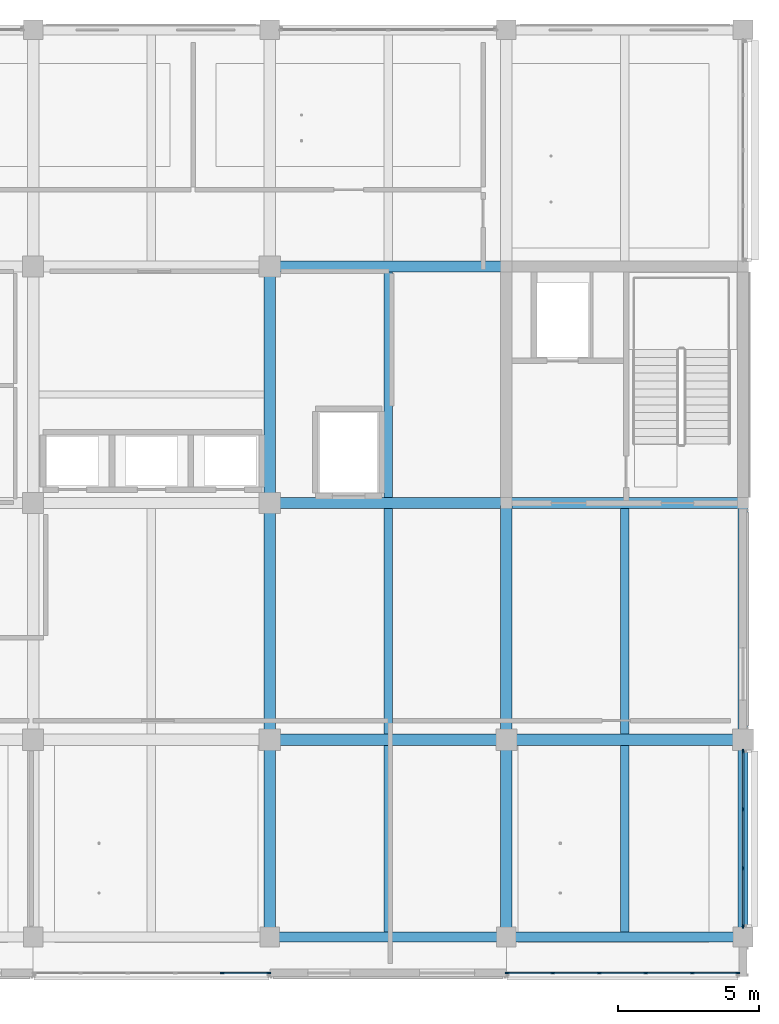
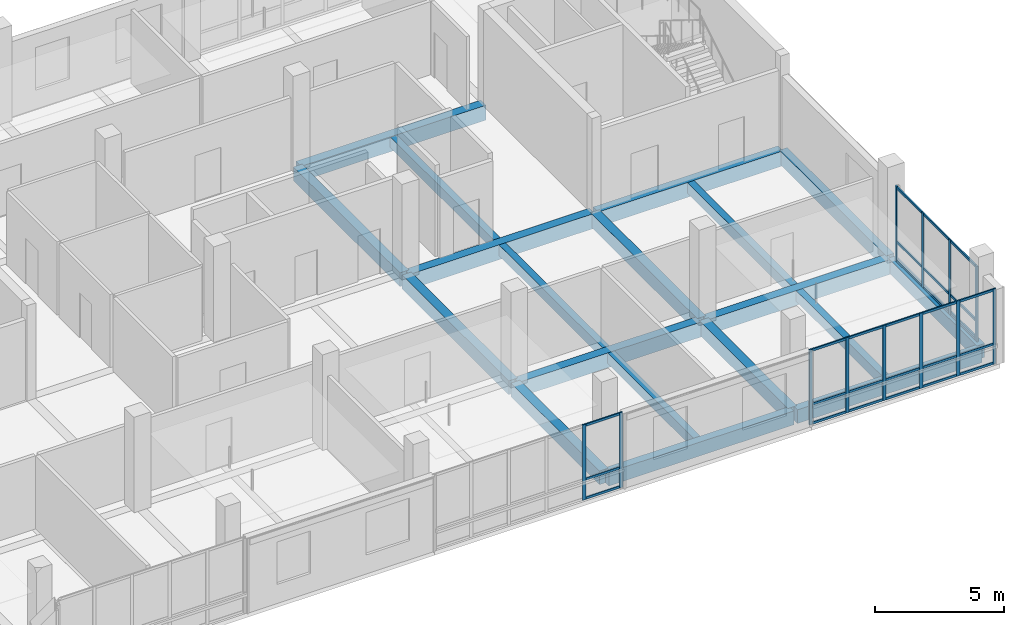
# One storey, part 6 of 32: 39 members, 19 beams, 3 elements without a shape of their own.
"""IFC4 building model written with IfcOpenShell, lengths in metres."""

import ifcopenshell
import ifcopenshell.guid

model = None  # the IFC model being written
_history = None  # IfcOwnerHistory: only IFC2X3 demands one
_inside = {}  # id of a spatial element -> (the spatial element, [elements in it])
_under = {}  # id of a project, library or spatial element -> (it, [spatial elements below it])
_declared = {}  # id of a project -> (the project, [libraries it declares])
_typed = {}  # id of a type object -> (the type object, [elements of that type])
_made_of = {}  # id of a material, layer set ... -> (it, [elements and type objects made of it])


def new_model(schema):
    """Start an empty IFC model of exactly this schema.

    Asked for "IFC4X3", IfcOpenShell would pick the latest addendum, in which some entities
    have other attributes; the version numbers below select the first issue.
    IFC2X3 requires an IfcOwnerHistory on every rooted entity: one is made here for all.
    """
    global model, _history
    if schema == "IFC4X3":
        model = ifcopenshell.file(schema_version=(4, 3, 0, 0))
    else:
        model = ifcopenshell.file(schema=schema)
    _inside.clear()
    _under.clear()
    _declared.clear()
    _typed.clear()
    _made_of.clear()
    _history = None
    if model.schema == "IFC2X3":
        org = make("IfcOrganization", Name="unknown")
        user = make(
            "IfcPersonAndOrganization",
            ThePerson=make("IfcPerson", FamilyName="unknown"),
            TheOrganization=org,
        )
        app = make(
            "IfcApplication",
            ApplicationDeveloper=org,
            Version="unknown",
            ApplicationFullName="unknown",
            ApplicationIdentifier="unknown",
        )
        _history = make(
            "IfcOwnerHistory",
            OwningUser=user,
            OwningApplication=app,
            ChangeAction="ADDED",
            CreationDate=0,
        )
    return model


def make(cls, **values):
    """One entity of the class cls with the attributes given. An attribute that is None is left unset."""
    return model.create_entity(
        cls, **{name: value for name, value in values.items() if value is not None}
    )


def rooted(cls, **values):
    """An entity with a GlobalId (a new one), such as an element, a storey or a relation."""
    return make(cls, GlobalId=ifcopenshell.guid.new(), OwnerHistory=_history, **values)


def si_unit(unit_type, name, prefix=None):
    """IfcSIUnit, for example si_unit("LENGTHUNIT", "METRE", prefix="MILLI")."""
    return make("IfcSIUnit", UnitType=unit_type, Prefix=prefix, Name=name)


def assignment(units):
    """IfcUnitAssignment: the units of a project."""
    return None if units is None else make("IfcUnitAssignment", Units=units)


def point(xyz):
    """IfcCartesianPoint."""
    return None if xyz is None else make("IfcCartesianPoint", Coordinates=xyz)


def direction(xyz):
    """IfcDirection."""
    return None if xyz is None else make("IfcDirection", DirectionRatios=xyz)


def frame(location, z_axis=None, x_axis=None):
    """IfcAxis2Placement3D, a coordinate frame: its origin and axes. An axis left out is left unset."""
    return make(
        "IfcAxis2Placement3D",
        Location=point(location),
        Axis=direction(z_axis),
        RefDirection=direction(x_axis),
    )


def frame_2d(location, x_axis=None):
    """IfcAxis2Placement2D, a coordinate frame in the plane: its origin and x axis."""
    return make(
        "IfcAxis2Placement2D", Location=point(location), RefDirection=direction(x_axis)
    )


def origin():
    """The frame at (0, 0, 0) with its axes left unset."""
    return frame((0.0, 0.0, 0.0))


def origin_2d():
    """The frame at (0, 0) in the plane with its x axis left unset."""
    return frame_2d((0.0, 0.0))


def place(relative_to, where):
    """IfcLocalPlacement: puts the frame where relative to a parent placement (None: the world)."""
    return make(
        "IfcLocalPlacement", PlacementRelTo=relative_to, RelativePlacement=where
    )


def context(
    kind, dimensions, precision=None, world=None, true_north=None, identifier=None
):
    """IfcGeometricRepresentationContext, for example the 3D "Model" context."""
    return make(
        "IfcGeometricRepresentationContext",
        ContextIdentifier=identifier,
        ContextType=kind,
        CoordinateSpaceDimension=dimensions,
        Precision=precision,
        WorldCoordinateSystem=world,
        TrueNorth=true_north,
    )


def subcontext(parent, identifier, kind, view, scale=None):
    """IfcGeometricRepresentationSubContext, for example "Body" below "Model"."""
    return make(
        "IfcGeometricRepresentationSubContext",
        ContextIdentifier=identifier,
        ContextType=kind,
        ParentContext=parent,
        TargetScale=scale,
        TargetView=view,
    )


def project(units=None, contexts=None):
    """IfcProject with its units and contexts."""
    return rooted(
        "IfcProject",
        Name="project",
        RepresentationContexts=contexts,
        UnitsInContext=assignment(units),
    )


def spatial(cls, under=None, at=None, **own):
    """A site, building, storey or space (cls), placed at a placement, below another one or the project."""
    s = rooted(cls, ObjectPlacement=at, **own)
    if under is not None:
        _under.setdefault(under.id(), (under, []))[1].append(s)
    return s


def profile(cls, at=None, kind="AREA", **sizes):
    """A parametric profile (cls). Its sizes go by their IFC names, for example OverallWidth=200.0."""
    return make(cls, ProfileType=kind, Position=at, **sizes)


def rectangle(**sizes):
    """IfcRectangleProfileDef."""
    return profile("IfcRectangleProfileDef", **sizes)


def extrude(swept, where, along, depth):
    """IfcExtrudedAreaSolid: the profile swept, set in the frame where, extruded along a direction by depth."""
    return make(
        "IfcExtrudedAreaSolid",
        SweptArea=swept,
        Position=where,
        ExtrudedDirection=direction(along),
        Depth=depth,
    )


def shape(context_of_items, identifier, shape_type, items):
    """IfcShapeRepresentation: the items that make up one representation, for example the "Body"."""
    return make(
        "IfcShapeRepresentation",
        ContextOfItems=context_of_items,
        RepresentationIdentifier=identifier,
        RepresentationType=shape_type,
        Items=items,
    )


def material(Name=None, Category=None):
    """IfcMaterial."""
    return make("IfcMaterial", Name=Name, Category=Category)


def layer(
    of_material, thickness, ventilated=None, Name=None, Category=None, Priority=None
):
    """IfcMaterialLayer: one layer of a wall or slab, of a material (None: an air gap)."""
    return make(
        "IfcMaterialLayer",
        Material=of_material,
        LayerThickness=thickness,
        IsVentilated=ventilated,
        Name=Name,
        Category=Category,
        Priority=Priority,
    )


def layer_set(layers, Name=None):
    """IfcMaterialLayerSet."""
    return make("IfcMaterialLayerSet", MaterialLayers=layers, LayerSetName=Name)


def material_profile(
    of_material, cross_section, Name=None, Category=None, Priority=None
):
    """IfcMaterialProfile: a cross section and its material."""
    return make(
        "IfcMaterialProfile",
        Name=Name,
        Material=of_material,
        Profile=cross_section,
        Priority=Priority,
        Category=Category,
    )


def profile_set(profiles, Name=None, composite=None):
    """IfcMaterialProfileSet."""
    return make(
        "IfcMaterialProfileSet",
        Name=Name,
        MaterialProfiles=profiles,
        CompositeProfile=composite,
    )


def made_of(thing, what):
    """Note that an element or type object is made of a material, layer set ...; save() writes the relation."""
    if what is not None:
        _made_of.setdefault(what.id(), (what, []))[1].append(thing)
    return thing


def type_object(cls, material=None, **own):
    """A type object (cls), such as IfcWallType, which elements share."""
    return made_of(rooted(cls, **own), material)


def element(
    cls,
    number,
    at=None,
    inside=None,
    cuts=None,
    type_object=None,
    material=None,
    context=None,
    identifier="Body",
    shape_type=None,
    held_by="IfcProductDefinitionShape",
    body=None,
    shapes=None,
    **own,
):
    """One element of the class cls, such as IfcWall. Its Tag is "e" and its number.

    at: its placement. inside: the storey or other place that contains it. cuts: it is an
    opening in that element (IfcRelVoidsElement). A single representation is given by context,
    identifier, shape_type and body (its items); several are given by shapes. held_by: the class
    of the entity that holds the representations. save() writes the other relations.
    """
    e = rooted(cls, Tag="e%d" % number, ObjectPlacement=at, **own)
    if body is not None:
        shapes = [shape(context, identifier, shape_type, body)]
    if shapes is not None:
        e.Representation = make(held_by, Representations=shapes)
    if inside is not None:
        _inside.setdefault(inside.id(), (inside, []))[1].append(e)
    if cuts is not None:
        rooted(
            "IfcRelVoidsElement", RelatingBuildingElement=cuts, RelatedOpeningElement=e
        )
    if type_object is not None:
        _typed.setdefault(type_object.id(), (type_object, []))[1].append(e)
    return made_of(e, material)


def aggregate(whole, parts):
    """IfcRelAggregates: a whole, such as a stair, and the parts it consists of."""
    return rooted("IfcRelAggregates", RelatingObject=whole, RelatedObjects=parts)


def save(model, path):
    """Write the relations noted so far, then the file.

    IfcRelAggregates (storeys below a building ...), IfcRelContainedInSpatialStructure (elements
    in a storey), IfcRelDefinesByType, IfcRelAssociatesMaterial and IfcRelDeclares: one each for
    every whole, place, type object, material and project.
    """
    for whole, parts in _under.values():
        aggregate(whole, parts)
    for where, things in _inside.values():
        rooted(
            "IfcRelContainedInSpatialStructure",
            RelatedElements=things,
            RelatingStructure=where,
        )
    for kind, things in _typed.values():
        rooted("IfcRelDefinesByType", RelatedObjects=things, RelatingType=kind)
    for what, things in _made_of.values():
        rooted("IfcRelAssociatesMaterial", RelatedObjects=things, RelatingMaterial=what)
    for by, libraries in _declared.values():
        rooted("IfcRelDeclares", RelatingContext=by, RelatedDefinitions=libraries)
    model.write(path)


model = new_model("IFC4")

# Units and contexts
model_context = context("Model", 3, precision=1e-05, world=origin(), true_north=direction((0.0, 1.0)))
body_context = subcontext(model_context, "Body", "Model", "MODEL_VIEW")
ifc_project = project(units=[si_unit("LENGTHUNIT", "METRE"), si_unit("AREAUNIT", "SQUARE_METRE"), si_unit("VOLUMEUNIT", "CUBIC_METRE"), si_unit("PLANEANGLEUNIT", "RADIAN"), si_unit("MASSUNIT", "GRAM", prefix="KILO")], contexts=[model_context])

# Site, building, storey
site_placement = place(None, origin())
site = spatial("IfcSite", under=ifc_project, at=site_placement, CompositionType="ELEMENT")
building_placement = place(site_placement, origin())
building = spatial("IfcBuilding", under=site, at=building_placement, Name="Telukmera Botanical Conservatory", CompositionType="ELEMENT")
storey_placement = place(building_placement, frame((0.0, 0.0, 42.0)))
storey = spatial("IfcBuildingStorey", under=building, at=storey_placement, Name="L09", CompositionType="ELEMENT", Elevation=42.0)

# Beams
ifc_material_1 = material(Name="Concrete C40/50", Category="concrete")
ifc_material_profile_1 = material_profile(ifc_material_1, rectangle(XDim=0.300048828125, YDim=0.5, at=origin_2d()), Name="RC 300x500")
ifc_profile_set_1 = profile_set([ifc_material_profile_1], Name="Concrete C40/50")
beam_type_1 = type_object("IfcBeamType", Name="Beam_B24", PredefinedType="JOIST", material=ifc_profile_set_1)
beam_1_placement = place(storey_placement, frame((88.199951171875, 10.77490234375, -0.25), z_axis=(0.0, 1.0, 0.0), x_axis=(-1.0, 0.0, 0.0)))
element("IfcBeam", 1, at=beam_1_placement, inside=storey, type_object=beam_type_1, Name="Tower Secondary Floor Joist L09", PredefinedType="JOIST", context=body_context, shape_type="SweptSolid", body=[
    extrude(rectangle(XDim=0.300048828125, YDim=0.5, at=origin_2d()), origin(), (0.0, 0.0, 1.0), 6.625),
])
for number, where, z_axis, x_axis, name in (
    (2, (88.199951171875, 17.800048828125, -0.25), (0.0, 1.0, 0.0), (-1.0, 0.0, 0.0), "Tower Secondary Floor Joist L09"),
    (3, (88.199951171875, 26.199951171875, -0.25), (0.0, 1.0, 0.0), (-1.0, 0.0, 0.0), "Tower Secondary Floor Joist L09"),
):
    element("IfcBeam", number, at=place(storey_placement, frame(where, z_axis=z_axis, x_axis=x_axis)), inside=storey, type_object=beam_type_1, Name=name, PredefinedType="JOIST", context=body_context, shape_type="SweptSolid", body=[
        extrude(rectangle(XDim=0.300048828125, YDim=0.5, at=origin_2d()), origin(), (0.0, 0.0, 1.0), 8.0),
    ])
beam_2_placement = place(storey_placement, frame((96.60009765625, 10.77490234375, -0.25), z_axis=(0.0, 1.0, 0.0), x_axis=(-1.0, 0.0, 0.0)))
element("IfcBeam", 4, at=beam_2_placement, inside=storey, type_object=beam_type_1, Name="Tower Secondary Floor Joist L09", PredefinedType="JOIST", context=body_context, shape_type="SweptSolid", body=[
    extrude(rectangle(XDim=0.300048828125, YDim=0.5, at=origin_2d()), origin(), (0.0, 0.0, 1.0), 6.625),
])
beam_3_placement = place(storey_placement, frame((96.60009765625, 17.800048828125, -0.25), z_axis=(0.0, 1.0, 0.0), x_axis=(-1.0, 0.0, 0.0)))
element("IfcBeam", 5, at=beam_3_placement, inside=storey, type_object=beam_type_1, Name="Tower Secondary Floor Joist L09", PredefinedType="JOIST", context=body_context, shape_type="SweptSolid", body=[
    extrude(rectangle(XDim=0.300048828125, YDim=0.5, at=origin_2d()), origin(), (0.0, 0.0, 1.0), 8.0),
])
ifc_material_profile_2 = material_profile(ifc_material_1, rectangle(XDim=0.39990234375, YDim=0.699951171875, at=origin_2d()), Name="RC 400x700")
ifc_profile_set_2 = profile_set([ifc_material_profile_2], Name="Concrete C40/50")
beam_type_2 = type_object("IfcBeamType", Name="Beam_B7", PredefinedType="BEAM", material=ifc_profile_set_2)
for number, where, z_axis, x_axis, name in (
    (6, (84.080078125, 17.60009765625, -0.35009765625), (1.0, 0.0, 0.0), (0.0, 1.0, 0.0), "Tower Grid Beam L09"),
    (7, (92.47998046875, 17.60009765625, -0.35009765625), (1.0, 0.0, 0.0), (0.0, 1.0, 0.0), "Tower Grid Beam L09"),
    (8, (84.080078125, 26.0, -0.35009765625), (1.0, 0.0, 0.0), (0.0, 1.0, 0.0), "Tower Grid Beam L09"),
    (9, (92.47998046875, 26.0, -0.35009765625), (1.0, 0.0, 0.0), (0.0, 1.0, 0.0), "Tower Grid Beam L09"),
    (10, (84.080078125, 34.39990234375, -0.35009765625), (1.0, 0.0, 0.0), (0.0, 1.0, 0.0), "Tower Grid Beam L09"),
):
    element("IfcBeam", number, at=place(storey_placement, frame(where, z_axis=z_axis, x_axis=x_axis)), inside=storey, type_object=beam_type_2, Name=name, PredefinedType="BEAM", context=body_context, shape_type="SweptSolid", body=[
        extrude(rectangle(XDim=0.39990234375, YDim=0.699951171875, at=origin_2d()), origin(), (0.0, 0.0, 1.0), 8.239990234375),
    ])
ifc_material_profile_3 = material_profile(ifc_material_1, rectangle(XDim=0.39990234375, YDim=0.64990234375, at=origin_2d()), Name="RC 400x650")
ifc_profile_set_3 = profile_set([ifc_material_profile_3], Name="Concrete C40/50")
beam_type_3 = type_object("IfcBeamType", Name="Beam_B8", PredefinedType="BEAM", material=ifc_profile_set_3)
beam_4_placement = place(storey_placement, frame((84.0, 10.679931640625, -0.324951171875), z_axis=(0.0, 1.0, 0.0), x_axis=(-1.0, 0.0, 0.0)))
element("IfcBeam", 11, at=beam_4_placement, inside=storey, type_object=beam_type_3, Name="Tower Transverse Beam L09", PredefinedType="BEAM", context=body_context, shape_type="SweptSolid", body=[
    extrude(rectangle(XDim=0.39990234375, YDim=0.64990234375, at=origin_2d()), origin(), (0.0, 0.0, 1.0), 6.840087890625),
])
for number, where, z_axis, x_axis, name in (
    (12, (84.0, 17.679931640625, -0.324951171875), (0.0, 1.0, 0.0), (-1.0, 0.0, 0.0), "Tower Transverse Beam L09"),
    (13, (84.0, 26.080078125, -0.324951171875), (0.0, 1.0, 0.0), (-1.0, 0.0, 0.0), "Tower Transverse Beam L09"),
):
    element("IfcBeam", number, at=place(storey_placement, frame(where, z_axis=z_axis, x_axis=x_axis)), inside=storey, type_object=beam_type_3, Name=name, PredefinedType="BEAM", context=body_context, shape_type="SweptSolid", body=[
        extrude(rectangle(XDim=0.39990234375, YDim=0.64990234375, at=origin_2d()), origin(), (0.0, 0.0, 1.0), 8.239990234375),
    ])
beam_5_placement = place(storey_placement, frame((92.39990234375, 10.679931640625, -0.324951171875), z_axis=(0.0, 1.0, 0.0), x_axis=(-1.0, 0.0, 0.0)))
element("IfcBeam", 14, at=beam_5_placement, inside=storey, type_object=beam_type_3, Name="Tower Transverse Beam L09", PredefinedType="BEAM", context=body_context, shape_type="SweptSolid", body=[
    extrude(rectangle(XDim=0.39990234375, YDim=0.64990234375, at=origin_2d()), origin(), (0.0, 0.0, 1.0), 6.840087890625),
])
beam_6_placement = place(storey_placement, frame((92.39990234375, 17.679931640625, -0.324951171875), z_axis=(0.0, 1.0, 0.0), x_axis=(-1.0, 0.0, 0.0)))
element("IfcBeam", 15, at=beam_6_placement, inside=storey, type_object=beam_type_3, Name="Tower Transverse Beam L09", PredefinedType="BEAM", context=body_context, shape_type="SweptSolid", body=[
    extrude(rectangle(XDim=0.39990234375, YDim=0.64990234375, at=origin_2d()), origin(), (0.0, 0.0, 1.0), 8.239990234375),
])
ifc_material_2 = material(Name="Precast concrete C40/50", Category="concrete")
ifc_material_profile_4 = material_profile(ifc_material_2, rectangle(XDim=0.35009765625, YDim=0.64990234375, at=origin_2d()), Name="PC 350x650")
ifc_profile_set_4 = profile_set([ifc_material_profile_4], Name="Precast concrete C40/50")
beam_type_4 = type_object("IfcBeamType", Name="Beam_SP3", PredefinedType="SPANDREL", material=ifc_profile_set_4)
for number, where, z_axis, x_axis, name in (
    (16, (84.080078125, 10.60009765625, -0.324951171875), (1.0, 0.0, 0.0), (0.0, 1.0, 0.0), "Tower Grid Beam L09"),
    (17, (92.47998046875, 10.60009765625, -0.324951171875), (1.0, 0.0, 0.0), (0.0, 1.0, 0.0), "Tower Grid Beam L09"),
):
    element("IfcBeam", number, at=place(storey_placement, frame(where, z_axis=z_axis, x_axis=x_axis)), inside=storey, type_object=beam_type_4, Name=name, PredefinedType="SPANDREL", context=body_context, shape_type="SweptSolid", body=[
        extrude(rectangle(XDim=0.35009765625, YDim=0.64990234375, at=origin_2d()), origin(), (0.0, 0.0, 1.0), 8.239990234375),
    ])
beam_7_placement = place(storey_placement, frame((100.800048828125, 10.679931640625, -0.324951171875), z_axis=(0.0, 1.0, 0.0), x_axis=(-1.0, 0.0, 0.0)))
element("IfcBeam", 18, at=beam_7_placement, inside=storey, type_object=beam_type_4, Name="Tower Transverse Beam L09", PredefinedType="SPANDREL", context=body_context, shape_type="SweptSolid", body=[
    extrude(rectangle(XDim=0.35009765625, YDim=0.64990234375, at=origin_2d()), origin(), (0.0, 0.0, 1.0), 6.840087890625),
])
beam_8_placement = place(storey_placement, frame((100.800048828125, 17.679931640625, -0.324951171875), z_axis=(0.0, 1.0, 0.0), x_axis=(-1.0, 0.0, 0.0)))
element("IfcBeam", 19, at=beam_8_placement, inside=storey, type_object=beam_type_4, Name="Tower Transverse Beam L09", PredefinedType="SPANDREL", context=body_context, shape_type="SweptSolid", body=[
    extrude(rectangle(XDim=0.35009765625, YDim=0.64990234375, at=origin_2d()), origin(), (0.0, 0.0, 1.0), 8.239990234375),
])

# Curtain wall, members
ifc_material_3 = material(Name="Anodised aluminium 6063-T6", Category="aluminium")
ifc_layer = layer(ifc_material_3, 0.179931640625)
ifc_layer_set = layer_set([ifc_layer], Name="Anodised aluminium 6063-T6")
curtain_wall_type = type_object("IfcCurtainWallType", Name="Tower Research Laboratory Unitised Curtain Wall", PredefinedType="USERDEFINED", material=ifc_layer_set)
curtain_wall_1_placement = place(storey_placement, origin())
curtain_wall_1 = element("IfcCurtainWall", 20, at=curtain_wall_1_placement, inside=storey, type_object=curtain_wall_type, Name="Unitised Curtain Wall CW15 V4:L09:S4", ObjectType="UNITISED CURTAIN WALL", PredefinedType="USERDEFINED")
ifc_material_profile_5 = material_profile(ifc_material_3, rectangle(XDim=0.06005859375, YDim=0.139892578125, at=origin_2d()), Name="ALU MULL 60x140")
ifc_profile_set_5 = profile_set([ifc_material_profile_5], Name="Anodised aluminium 6063-T6")
member_type_1 = type_object("IfcMemberType", Name="Curtain Wall Extruded Mullion 60x140", PredefinedType="MULLION", material=ifc_profile_set_5)
member_1_placement = place(storey_placement, frame((82.31884765625, 9.320068359375, 0.0), z_axis=(0.0, 0.0, 1.0), x_axis=(0.0, 1.0, 0.0)))
member_1 = element("IfcMember", 21, at=member_1_placement, type_object=member_type_1, Name="CW15 mullion 5", PredefinedType="MULLION", context=body_context, shape_type="SweptSolid", body=[
    extrude(rectangle(XDim=0.06005859375, YDim=0.139892578125, at=origin_2d()), origin(), (0.0, 0.0, 1.0), 3.550048828125),
])
member_2_placement = place(storey_placement, frame((83.968017578125, 9.320068359375, 0.0), z_axis=(0.0, 0.0, 1.0), x_axis=(0.0, 1.0, 0.0)))
member_2 = element("IfcMember", 22, at=member_2_placement, type_object=member_type_1, Name="CW15 mullion 6", PredefinedType="MULLION", context=body_context, shape_type="SweptSolid", body=[
    extrude(rectangle(XDim=0.06005859375, YDim=0.139892578125, at=origin_2d()), origin(), (0.0, 0.0, 1.0), 3.550048828125),
])

curtain_wall_2_placement = place(storey_placement, origin())
curtain_wall_2 = element("IfcCurtainWall", 23, at=curtain_wall_2_placement, inside=storey, type_object=curtain_wall_type, Name="Unitised Curtain Wall CW15 V4:L09:S6", ObjectType="UNITISED CURTAIN WALL", PredefinedType="USERDEFINED")
member_3_placement = place(storey_placement, frame((92.431884765625, 9.320068359375, 0.0), z_axis=(0.0, 0.0, 1.0), x_axis=(0.0, 1.0, 0.0)))
member_3 = element("IfcMember", 24, at=member_3_placement, type_object=member_type_1, Name="CW15 mullion 1", PredefinedType="MULLION", context=body_context, shape_type="SweptSolid", body=[
    extrude(rectangle(XDim=0.06005859375, YDim=0.139892578125, at=origin_2d()), origin(), (0.0, 0.0, 1.0), 3.550048828125),
])
member_4_placement = place(storey_placement, frame((94.05126953125, 9.320068359375, 0.0), z_axis=(0.0, 0.0, 1.0), x_axis=(0.0, 1.0, 0.0)))
member_4 = element("IfcMember", 25, at=member_4_placement, type_object=member_type_1, Name="CW15 mullion 2", PredefinedType="MULLION", context=body_context, shape_type="SweptSolid", body=[
    extrude(rectangle(XDim=0.06005859375, YDim=0.139892578125, at=origin_2d()), origin(), (0.0, 0.0, 1.0), 3.550048828125),
])
member_5_placement = place(storey_placement, frame((95.700439453125, 9.320068359375, 0.0), z_axis=(0.0, 0.0, 1.0), x_axis=(0.0, 1.0, 0.0)))
member_5 = element("IfcMember", 26, at=member_5_placement, type_object=member_type_1, Name="CW15 mullion 3", PredefinedType="MULLION", context=body_context, shape_type="SweptSolid", body=[
    extrude(rectangle(XDim=0.06005859375, YDim=0.139892578125, at=origin_2d()), origin(), (0.0, 0.0, 1.0), 3.550048828125),
])
member_6_placement = place(storey_placement, frame((97.349609375, 9.320068359375, 0.0), z_axis=(0.0, 0.0, 1.0), x_axis=(0.0, 1.0, 0.0)))
member_6 = element("IfcMember", 27, at=member_6_placement, type_object=member_type_1, Name="CW15 mullion 4", PredefinedType="MULLION", context=body_context, shape_type="SweptSolid", body=[
    extrude(rectangle(XDim=0.06005859375, YDim=0.139892578125, at=origin_2d()), origin(), (0.0, 0.0, 1.0), 3.550048828125),
])
member_7_placement = place(storey_placement, frame((98.998779296875, 9.320068359375, 0.0), z_axis=(0.0, 0.0, 1.0), x_axis=(0.0, 1.0, 0.0)))
member_7 = element("IfcMember", 28, at=member_7_placement, type_object=member_type_1, Name="CW15 mullion 5", PredefinedType="MULLION", context=body_context, shape_type="SweptSolid", body=[
    extrude(rectangle(XDim=0.06005859375, YDim=0.139892578125, at=origin_2d()), origin(), (0.0, 0.0, 1.0), 3.550048828125),
])
member_8_placement = place(storey_placement, frame((100.617919921875, 9.320068359375, 0.0), z_axis=(0.0, 0.0, 1.0), x_axis=(0.0, 1.0, 0.0)))
member_8 = element("IfcMember", 29, at=member_8_placement, type_object=member_type_1, Name="CW15 mullion 6", PredefinedType="MULLION", context=body_context, shape_type="SweptSolid", body=[
    extrude(rectangle(XDim=0.06005859375, YDim=0.139892578125, at=origin_2d()), origin(), (0.0, 0.0, 1.0), 3.550048828125),
])

curtain_wall_3_placement = place(storey_placement, origin())
curtain_wall_3 = element("IfcCurtainWall", 30, at=curtain_wall_3_placement, inside=storey, type_object=curtain_wall_type, Name="Unitised Curtain Wall CW15 V4:L09:E1", ObjectType="UNITISED CURTAIN WALL", PredefinedType="USERDEFINED")
member_9_placement = place(storey_placement, frame((100.800048828125, 10.98193359375, 0.0), z_axis=(0.0, 0.0, 1.0), x_axis=(-1.0, 0.0, 0.0)))
member_9 = element("IfcMember", 31, at=member_9_placement, type_object=member_type_1, Name="CW15 mullion 1", PredefinedType="MULLION", context=body_context, shape_type="SweptSolid", body=[
    extrude(rectangle(XDim=0.06005859375, YDim=0.139892578125, at=origin_2d()), origin(), (0.0, 0.0, 1.0), 3.550048828125),
])
member_10_placement = place(storey_placement, frame((100.800048828125, 13.042236328125, 0.0), z_axis=(0.0, 0.0, 1.0), x_axis=(-1.0, 0.0, 0.0)))
member_10 = element("IfcMember", 32, at=member_10_placement, type_object=member_type_1, Name="CW15 mullion 2", PredefinedType="MULLION", context=body_context, shape_type="SweptSolid", body=[
    extrude(rectangle(XDim=0.06005859375, YDim=0.139892578125, at=origin_2d()), origin(), (0.0, 0.0, 1.0), 3.550048828125),
])
member_11_placement = place(storey_placement, frame((100.800048828125, 15.132568359375, 0.0), z_axis=(0.0, 0.0, 1.0), x_axis=(-1.0, 0.0, 0.0)))
member_11 = element("IfcMember", 33, at=member_11_placement, type_object=member_type_1, Name="CW15 mullion 3", PredefinedType="MULLION", context=body_context, shape_type="SweptSolid", body=[
    extrude(rectangle(XDim=0.06005859375, YDim=0.139892578125, at=origin_2d()), origin(), (0.0, 0.0, 1.0), 3.550048828125),
])
member_12_placement = place(storey_placement, frame((100.800048828125, 17.193115234375, 0.0), z_axis=(0.0, 0.0, 1.0), x_axis=(-1.0, 0.0, 0.0)))
member_12 = element("IfcMember", 34, at=member_12_placement, type_object=member_type_1, Name="CW15 mullion 4", PredefinedType="MULLION", context=body_context, shape_type="SweptSolid", body=[
    extrude(rectangle(XDim=0.06005859375, YDim=0.139892578125, at=origin_2d()), origin(), (0.0, 0.0, 1.0), 3.550048828125),
])

# Member
ifc_material_profile_6 = material_profile(ifc_material_3, rectangle(XDim=0.06005859375, YDim=0.110107421875, at=origin_2d()), Name="ALU TRAN 60x110")
ifc_profile_set_6 = profile_set([ifc_material_profile_6], Name="Anodised aluminium 6063-T6")
member_type_2 = type_object("IfcMemberType", Name="Curtain Wall Extruded Transom 60x110", PredefinedType="USERDEFINED", material=ifc_profile_set_6)
member_13_placement = place(storey_placement, frame((82.348876953125, 9.320068359375, 0.054931640625), z_axis=(1.0, 0.0, 0.0), x_axis=(0.0, 1.0, 0.0)))
member_13 = element("IfcMember", 35, at=member_13_placement, type_object=member_type_2, Name="CW15 transom 5.1", ObjectType="TRANSOM", PredefinedType="USERDEFINED", context=body_context, shape_type="SweptSolid", body=[
    extrude(rectangle(XDim=0.06005859375, YDim=0.110107421875, at=origin_2d()), origin(), (0.0, 0.0, 1.0), 1.589111328125),
])

member_14_placement = place(storey_placement, frame((82.348876953125, 9.320068359375, 0.949951171875), z_axis=(1.0, 0.0, 0.0), x_axis=(0.0, 1.0, 0.0)))
member_14 = element("IfcMember", 36, at=member_14_placement, type_object=member_type_2, Name="CW15 transom 5.2", ObjectType="TRANSOM", PredefinedType="USERDEFINED", context=body_context, shape_type="SweptSolid", body=[
    extrude(rectangle(XDim=0.06005859375, YDim=0.110107421875, at=origin_2d()), origin(), (0.0, 0.0, 1.0), 1.589111328125),
])

member_15_placement = place(storey_placement, frame((82.348876953125, 9.320068359375, 3.4951171875), z_axis=(1.0, 0.0, 0.0), x_axis=(0.0, 1.0, 0.0)))
member_15 = element("IfcMember", 37, at=member_15_placement, type_object=member_type_2, Name="CW15 transom 5.3", ObjectType="TRANSOM", PredefinedType="USERDEFINED", context=body_context, shape_type="SweptSolid", body=[
    extrude(rectangle(XDim=0.06005859375, YDim=0.110107421875, at=origin_2d()), origin(), (0.0, 0.0, 1.0), 1.589111328125),
])

aggregate(curtain_wall_1, [member_1, member_2, member_13, member_14, member_15])

member_16_placement = place(storey_placement, frame((92.4619140625, 9.320068359375, 0.054931640625), z_axis=(1.0, 0.0, 0.0), x_axis=(0.0, 1.0, 0.0)))
member_16 = element("IfcMember", 38, at=member_16_placement, type_object=member_type_2, Name="CW15 transom 1.1", ObjectType="TRANSOM", PredefinedType="USERDEFINED", context=body_context, shape_type="SweptSolid", body=[
    extrude(rectangle(XDim=0.06005859375, YDim=0.110107421875, at=origin_2d()), origin(), (0.0, 0.0, 1.0), 1.559326171875),
])

member_17_placement = place(storey_placement, frame((92.4619140625, 9.320068359375, 0.949951171875), z_axis=(1.0, 0.0, 0.0), x_axis=(0.0, 1.0, 0.0)))
member_17 = element("IfcMember", 39, at=member_17_placement, type_object=member_type_2, Name="CW15 transom 1.2", ObjectType="TRANSOM", PredefinedType="USERDEFINED", context=body_context, shape_type="SweptSolid", body=[
    extrude(rectangle(XDim=0.06005859375, YDim=0.110107421875, at=origin_2d()), origin(), (0.0, 0.0, 1.0), 1.559326171875),
])

member_18_placement = place(storey_placement, frame((92.4619140625, 9.320068359375, 3.4951171875), z_axis=(1.0, 0.0, 0.0), x_axis=(0.0, 1.0, 0.0)))
member_18 = element("IfcMember", 40, at=member_18_placement, type_object=member_type_2, Name="CW15 transom 1.3", ObjectType="TRANSOM", PredefinedType="USERDEFINED", context=body_context, shape_type="SweptSolid", body=[
    extrude(rectangle(XDim=0.06005859375, YDim=0.110107421875, at=origin_2d()), origin(), (0.0, 0.0, 1.0), 1.559326171875),
])

member_19_placement = place(storey_placement, frame((94.081298828125, 9.320068359375, 0.054931640625), z_axis=(1.0, 0.0, 0.0), x_axis=(0.0, 1.0, 0.0)))
member_19 = element("IfcMember", 41, at=member_19_placement, type_object=member_type_2, Name="CW15 transom 2.1", ObjectType="TRANSOM", PredefinedType="USERDEFINED", context=body_context, shape_type="SweptSolid", body=[
    extrude(rectangle(XDim=0.06005859375, YDim=0.110107421875, at=origin_2d()), origin(), (0.0, 0.0, 1.0), 1.589111328125),
])

member_20_placement = place(storey_placement, frame((94.081298828125, 9.320068359375, 0.949951171875), z_axis=(1.0, 0.0, 0.0), x_axis=(0.0, 1.0, 0.0)))
member_20 = element("IfcMember", 42, at=member_20_placement, type_object=member_type_2, Name="CW15 transom 2.2", ObjectType="TRANSOM", PredefinedType="USERDEFINED", context=body_context, shape_type="SweptSolid", body=[
    extrude(rectangle(XDim=0.06005859375, YDim=0.110107421875, at=origin_2d()), origin(), (0.0, 0.0, 1.0), 1.589111328125),
])

member_21_placement = place(storey_placement, frame((94.081298828125, 9.320068359375, 3.4951171875), z_axis=(1.0, 0.0, 0.0), x_axis=(0.0, 1.0, 0.0)))
member_21 = element("IfcMember", 43, at=member_21_placement, type_object=member_type_2, Name="CW15 transom 2.3", ObjectType="TRANSOM", PredefinedType="USERDEFINED", context=body_context, shape_type="SweptSolid", body=[
    extrude(rectangle(XDim=0.06005859375, YDim=0.110107421875, at=origin_2d()), origin(), (0.0, 0.0, 1.0), 1.589111328125),
])

member_22_placement = place(storey_placement, frame((95.73046875, 9.320068359375, 0.054931640625), z_axis=(1.0, 0.0, 0.0), x_axis=(0.0, 1.0, 0.0)))
member_22 = element("IfcMember", 44, at=member_22_placement, type_object=member_type_2, Name="CW15 transom 3.1", ObjectType="TRANSOM", PredefinedType="USERDEFINED", context=body_context, shape_type="SweptSolid", body=[
    extrude(rectangle(XDim=0.06005859375, YDim=0.110107421875, at=origin_2d()), origin(), (0.0, 0.0, 1.0), 1.589111328125),
])

member_23_placement = place(storey_placement, frame((95.73046875, 9.320068359375, 0.949951171875), z_axis=(1.0, 0.0, 0.0), x_axis=(0.0, 1.0, 0.0)))
member_23 = element("IfcMember", 45, at=member_23_placement, type_object=member_type_2, Name="CW15 transom 3.2", ObjectType="TRANSOM", PredefinedType="USERDEFINED", context=body_context, shape_type="SweptSolid", body=[
    extrude(rectangle(XDim=0.06005859375, YDim=0.110107421875, at=origin_2d()), origin(), (0.0, 0.0, 1.0), 1.589111328125),
])

member_24_placement = place(storey_placement, frame((95.73046875, 9.320068359375, 3.4951171875), z_axis=(1.0, 0.0, 0.0), x_axis=(0.0, 1.0, 0.0)))
member_24 = element("IfcMember", 46, at=member_24_placement, type_object=member_type_2, Name="CW15 transom 3.3", ObjectType="TRANSOM", PredefinedType="USERDEFINED", context=body_context, shape_type="SweptSolid", body=[
    extrude(rectangle(XDim=0.06005859375, YDim=0.110107421875, at=origin_2d()), origin(), (0.0, 0.0, 1.0), 1.589111328125),
])

member_25_placement = place(storey_placement, frame((97.379638671875, 9.320068359375, 0.054931640625), z_axis=(1.0, 0.0, 0.0), x_axis=(0.0, 1.0, 0.0)))
member_25 = element("IfcMember", 47, at=member_25_placement, type_object=member_type_2, Name="CW15 transom 4.1", ObjectType="TRANSOM", PredefinedType="USERDEFINED", context=body_context, shape_type="SweptSolid", body=[
    extrude(rectangle(XDim=0.06005859375, YDim=0.110107421875, at=origin_2d()), origin(), (0.0, 0.0, 1.0), 1.589111328125),
])

member_26_placement = place(storey_placement, frame((97.379638671875, 9.320068359375, 0.949951171875), z_axis=(1.0, 0.0, 0.0), x_axis=(0.0, 1.0, 0.0)))
member_26 = element("IfcMember", 48, at=member_26_placement, type_object=member_type_2, Name="CW15 transom 4.2", ObjectType="TRANSOM", PredefinedType="USERDEFINED", context=body_context, shape_type="SweptSolid", body=[
    extrude(rectangle(XDim=0.06005859375, YDim=0.110107421875, at=origin_2d()), origin(), (0.0, 0.0, 1.0), 1.589111328125),
])

member_27_placement = place(storey_placement, frame((97.379638671875, 9.320068359375, 3.4951171875), z_axis=(1.0, 0.0, 0.0), x_axis=(0.0, 1.0, 0.0)))
member_27 = element("IfcMember", 49, at=member_27_placement, type_object=member_type_2, Name="CW15 transom 4.3", ObjectType="TRANSOM", PredefinedType="USERDEFINED", context=body_context, shape_type="SweptSolid", body=[
    extrude(rectangle(XDim=0.06005859375, YDim=0.110107421875, at=origin_2d()), origin(), (0.0, 0.0, 1.0), 1.589111328125),
])

member_28_placement = place(storey_placement, frame((99.02880859375, 9.320068359375, 0.054931640625), z_axis=(1.0, 0.0, 0.0), x_axis=(0.0, 1.0, 0.0)))
member_28 = element("IfcMember", 50, at=member_28_placement, type_object=member_type_2, Name="CW15 transom 5.1", ObjectType="TRANSOM", PredefinedType="USERDEFINED", context=body_context, shape_type="SweptSolid", body=[
    extrude(rectangle(XDim=0.06005859375, YDim=0.110107421875, at=origin_2d()), origin(), (0.0, 0.0, 1.0), 1.55908203125),
])

member_29_placement = place(storey_placement, frame((99.02880859375, 9.320068359375, 0.949951171875), z_axis=(1.0, 0.0, 0.0), x_axis=(0.0, 1.0, 0.0)))
member_29 = element("IfcMember", 51, at=member_29_placement, type_object=member_type_2, Name="CW15 transom 5.2", ObjectType="TRANSOM", PredefinedType="USERDEFINED", context=body_context, shape_type="SweptSolid", body=[
    extrude(rectangle(XDim=0.06005859375, YDim=0.110107421875, at=origin_2d()), origin(), (0.0, 0.0, 1.0), 1.55908203125),
])

member_30_placement = place(storey_placement, frame((99.02880859375, 9.320068359375, 3.4951171875), z_axis=(1.0, 0.0, 0.0), x_axis=(0.0, 1.0, 0.0)))
member_30 = element("IfcMember", 52, at=member_30_placement, type_object=member_type_2, Name="CW15 transom 5.3", ObjectType="TRANSOM", PredefinedType="USERDEFINED", context=body_context, shape_type="SweptSolid", body=[
    extrude(rectangle(XDim=0.06005859375, YDim=0.110107421875, at=origin_2d()), origin(), (0.0, 0.0, 1.0), 1.55908203125),
])

aggregate(curtain_wall_2, [member_3, member_4, member_5, member_6, member_7, member_8, member_16, member_17, member_18, member_19, member_20, member_21, member_22, member_23, member_24, member_25, member_26, member_27, member_28, member_29, member_30])

member_31_placement = place(storey_placement, frame((100.800048828125, 11.011962890625, 0.054931640625), z_axis=(0.0, 1.0, 0.0), x_axis=(-1.0, 0.0, 0.0)))
member_31 = element("IfcMember", 53, at=member_31_placement, type_object=member_type_2, Name="CW15 transom 1.1", ObjectType="TRANSOM", PredefinedType="USERDEFINED", context=body_context, shape_type="SweptSolid", body=[
    extrude(rectangle(XDim=0.06005859375, YDim=0.110107421875, at=origin_2d()), origin(), (0.0, 0.0, 1.0), 2.00048828125),
])

member_32_placement = place(storey_placement, frame((100.800048828125, 11.011962890625, 0.949951171875), z_axis=(0.0, 1.0, 0.0), x_axis=(-1.0, 0.0, 0.0)))
member_32 = element("IfcMember", 54, at=member_32_placement, type_object=member_type_2, Name="CW15 transom 1.2", ObjectType="TRANSOM", PredefinedType="USERDEFINED", context=body_context, shape_type="SweptSolid", body=[
    extrude(rectangle(XDim=0.06005859375, YDim=0.110107421875, at=origin_2d()), origin(), (0.0, 0.0, 1.0), 2.00048828125),
])

member_33_placement = place(storey_placement, frame((100.800048828125, 11.011962890625, 3.4951171875), z_axis=(0.0, 1.0, 0.0), x_axis=(-1.0, 0.0, 0.0)))
member_33 = element("IfcMember", 55, at=member_33_placement, type_object=member_type_2, Name="CW15 transom 1.3", ObjectType="TRANSOM", PredefinedType="USERDEFINED", context=body_context, shape_type="SweptSolid", body=[
    extrude(rectangle(XDim=0.06005859375, YDim=0.110107421875, at=origin_2d()), origin(), (0.0, 0.0, 1.0), 2.00048828125),
])

member_34_placement = place(storey_placement, frame((100.800048828125, 13.072265625, 0.054931640625), z_axis=(0.0, 1.0, 0.0), x_axis=(-1.0, 0.0, 0.0)))
member_34 = element("IfcMember", 56, at=member_34_placement, type_object=member_type_2, Name="CW15 transom 2.1", ObjectType="TRANSOM", PredefinedType="USERDEFINED", context=body_context, shape_type="SweptSolid", body=[
    extrude(rectangle(XDim=0.06005859375, YDim=0.110107421875, at=origin_2d()), origin(), (0.0, 0.0, 1.0), 2.030517578125),
])

member_35_placement = place(storey_placement, frame((100.800048828125, 13.072265625, 0.949951171875), z_axis=(0.0, 1.0, 0.0), x_axis=(-1.0, 0.0, 0.0)))
member_35 = element("IfcMember", 57, at=member_35_placement, type_object=member_type_2, Name="CW15 transom 2.2", ObjectType="TRANSOM", PredefinedType="USERDEFINED", context=body_context, shape_type="SweptSolid", body=[
    extrude(rectangle(XDim=0.06005859375, YDim=0.110107421875, at=origin_2d()), origin(), (0.0, 0.0, 1.0), 2.030517578125),
])

member_36_placement = place(storey_placement, frame((100.800048828125, 13.072265625, 3.4951171875), z_axis=(0.0, 1.0, 0.0), x_axis=(-1.0, 0.0, 0.0)))
member_36 = element("IfcMember", 58, at=member_36_placement, type_object=member_type_2, Name="CW15 transom 2.3", ObjectType="TRANSOM", PredefinedType="USERDEFINED", context=body_context, shape_type="SweptSolid", body=[
    extrude(rectangle(XDim=0.06005859375, YDim=0.110107421875, at=origin_2d()), origin(), (0.0, 0.0, 1.0), 2.030517578125),
])

member_37_placement = place(storey_placement, frame((100.800048828125, 15.16259765625, 0.054931640625), z_axis=(0.0, 1.0, 0.0), x_axis=(-1.0, 0.0, 0.0)))
member_37 = element("IfcMember", 59, at=member_37_placement, type_object=member_type_2, Name="CW15 transom 3.1", ObjectType="TRANSOM", PredefinedType="USERDEFINED", context=body_context, shape_type="SweptSolid", body=[
    extrude(rectangle(XDim=0.06005859375, YDim=0.110107421875, at=origin_2d()), origin(), (0.0, 0.0, 1.0), 2.00048828125),
])

member_38_placement = place(storey_placement, frame((100.800048828125, 15.16259765625, 0.949951171875), z_axis=(0.0, 1.0, 0.0), x_axis=(-1.0, 0.0, 0.0)))
member_38 = element("IfcMember", 60, at=member_38_placement, type_object=member_type_2, Name="CW15 transom 3.2", ObjectType="TRANSOM", PredefinedType="USERDEFINED", context=body_context, shape_type="SweptSolid", body=[
    extrude(rectangle(XDim=0.06005859375, YDim=0.110107421875, at=origin_2d()), origin(), (0.0, 0.0, 1.0), 2.00048828125),
])

member_39_placement = place(storey_placement, frame((100.800048828125, 15.16259765625, 3.4951171875), z_axis=(0.0, 1.0, 0.0), x_axis=(-1.0, 0.0, 0.0)))
member_39 = element("IfcMember", 61, at=member_39_placement, type_object=member_type_2, Name="CW15 transom 3.3", ObjectType="TRANSOM", PredefinedType="USERDEFINED", context=body_context, shape_type="SweptSolid", body=[
    extrude(rectangle(XDim=0.06005859375, YDim=0.110107421875, at=origin_2d()), origin(), (0.0, 0.0, 1.0), 2.00048828125),
])

aggregate(curtain_wall_3, [member_9, member_10, member_11, member_12, member_31, member_32, member_33, member_34, member_35, member_36, member_37, member_38, member_39])

save(model, "model.ifc")
